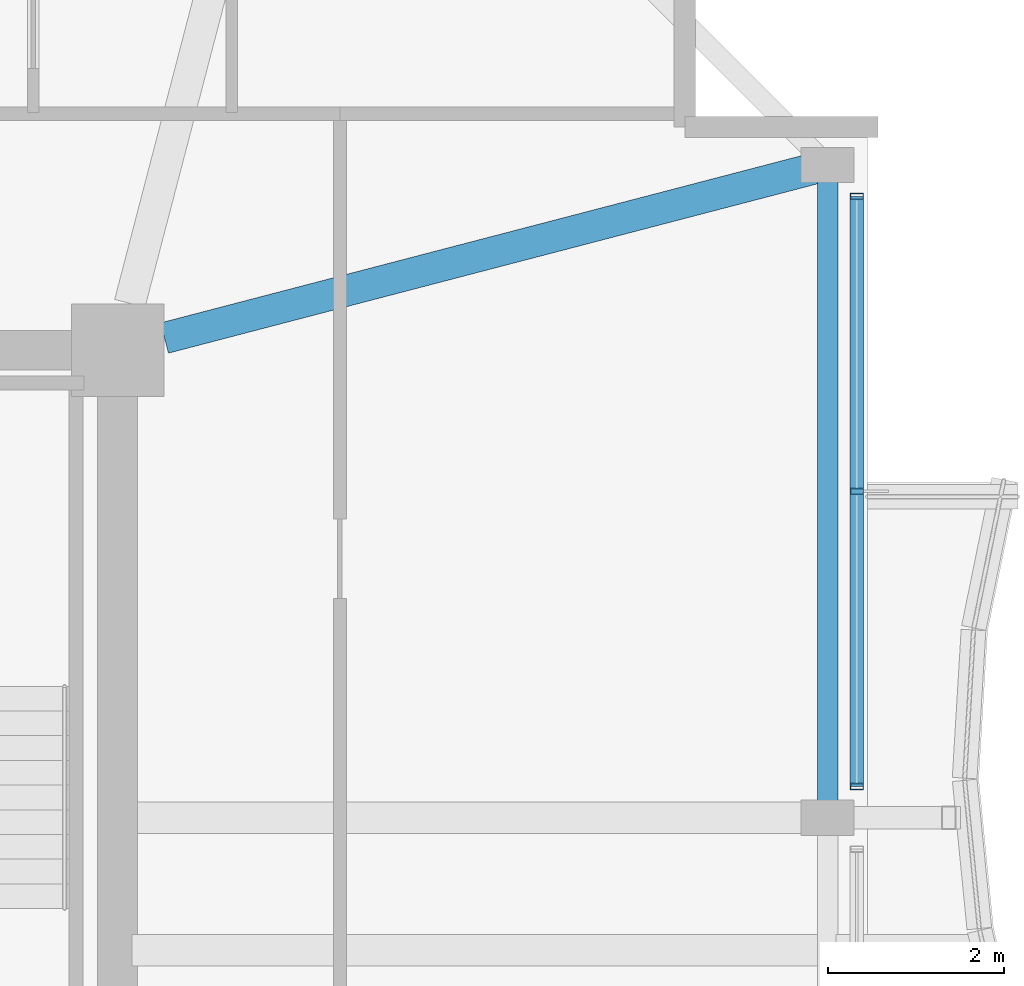
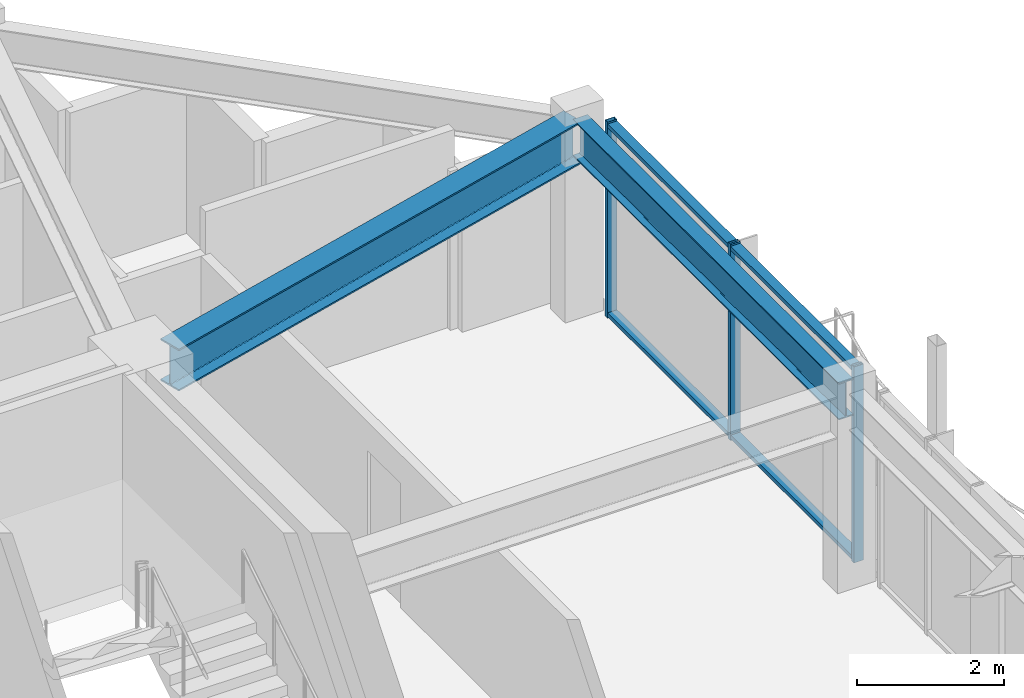
# One storey, part 13 of 31: 5 members, 2 beams, 1 element without a shape of its own.
"""IFC4 building model written with IfcOpenShell, lengths in metres."""

from ifc_helpers import new_model, si_unit, direction, frame, origin, origin_2d, place, context, subcontext, project, spatial, hollow_rectangle, i_section, extrude, material, material_profile, profile_set, type_object, element, aggregate, save


model = new_model("IFC4")

# Units and contexts
model_context = context("Model", 3, precision=1e-05, world=origin(), true_north=direction((0.0, 1.0)))
body_context = subcontext(model_context, "Body", "Model", "MODEL_VIEW")
ifc_project = project(units=[si_unit("LENGTHUNIT", "METRE"), si_unit("AREAUNIT", "SQUARE_METRE"), si_unit("VOLUMEUNIT", "CUBIC_METRE"), si_unit("PLANEANGLEUNIT", "RADIAN"), si_unit("MASSUNIT", "GRAM", prefix="KILO")], contexts=[model_context])

# Site, building, storey
site_placement = place(None, origin())
site = spatial("IfcSite", under=ifc_project, at=site_placement, CompositionType="ELEMENT")
building_placement = place(site_placement, origin())
building = spatial("IfcBuilding", under=site, at=building_placement, Name="Kolvaren Belvedere", CompositionType="ELEMENT")
storey_placement = place(building_placement, frame((0.0, 0.0, 251.39990234375)))
storey = spatial("IfcBuildingStorey", under=building, at=storey_placement, Name="L73", CompositionType="ELEMENT", Elevation=251.39990234375)

# Beams
ifc_material_1 = material(Name="Structural steel ASTM A992 Grade 50", Category="steel")
ifc_material_profile_1 = material_profile(ifc_material_1, i_section(OverallWidth=0.35498046875, OverallDepth=0.696044921875, WebThickness=0.015380859375, FlangeThickness=0.02490234375, FilletRadius=0.02197265625, at=origin_2d()), Name="W27X146")
ifc_profile_set_1 = profile_set([ifc_material_profile_1], Name="Structural steel ASTM A992 Grade 50")
beam_type_1 = type_object("IfcBeamType", Name="BM-GIRD-W27X146", PredefinedType="BEAM", material=ifc_profile_set_1)
beam_1_placement = place(storey_placement, frame((10.43212890625, 10.038818359375, 2.902099609375), z_axis=(0.967619295388, 0.252414142221, 0.0), x_axis=(-0.252414142221, 0.967619295388, 0.0)))
element("IfcBeam", 1, at=beam_1_placement, inside=storey, type_object=beam_type_1, Name="L73 Corner Core-to-Perimeter Girder CC3-E4", PredefinedType="BEAM", context=body_context, shape_type="SweptSolid", body=[
    extrude(i_section(OverallWidth=0.35498046875, OverallDepth=0.696044921875, WebThickness=0.015380859375, FlangeThickness=0.02490234375, FilletRadius=0.02197265625, at=origin_2d()), origin(), (0.0, 0.0, 1.0), 7.689453125),
])
ifc_material_2 = material(Name="Structural steel ASTM A992 Grade 50", Category="steel")
ifc_material_profile_2 = material_profile(ifc_material_2, i_section(OverallWidth=0.22900390625, OverallDepth=0.612060546875, WebThickness=0.011962890625, FlangeThickness=0.01953125, FilletRadius=0.01806640625, at=origin_2d()), Name="W24X84")
ifc_profile_set_2 = profile_set([ifc_material_profile_2], Name="Structural steel ASTM A992 Grade 50")
beam_type_2 = type_object("IfcBeamType", Name="BM-SPAN-W24X84", PredefinedType="SPANDREL", material=ifc_profile_set_2)
beam_2_placement = place(storey_placement, frame((17.949951171875, 4.68994140625, 2.944091796875), z_axis=(0.0, 1.0, 0.0), x_axis=(-1.0, 0.0, 0.0)))
element("IfcBeam", 2, at=beam_2_placement, inside=storey, type_object=beam_type_2, Name="L73 Perimeter Spandrel E3-E4", PredefinedType="SPANDREL", context=body_context, shape_type="SweptSolid", body=[
    extrude(i_section(OverallWidth=0.22900390625, OverallDepth=0.612060546875, WebThickness=0.011962890625, FlangeThickness=0.01953125, FilletRadius=0.01806640625, at=origin_2d()), origin(), (0.0, 0.0, 1.0), 7.219970703125),
])

# Curtain wall, members
ifc_material_3 = material(Name="Anodised pale-metal aluminium AA 6063-T6", Category="aluminium")
curtain_wall_type = type_object("IfcCurtainWallType", Name="CW-Z5-HIGH", PredefinedType="NOTDEFINED", material=ifc_material_3)
curtain_wall_placement = place(storey_placement, origin())
curtain_wall = element("IfcCurtainWall", 3, at=curtain_wall_placement, inside=storey, type_object=curtain_wall_type, Name="L73 Unitised Curtain Wall FCW-L73-E1-B1", PredefinedType="NOTDEFINED")
ifc_material_4 = material(Name="Anodised pale-metal aluminium AA 6063-T6", Category="aluminium")
ifc_material_profile_3 = material_profile(ifc_material_4, hollow_rectangle(XDim=0.070068359375, YDim=0.14990234375, WallThickness=0.004150390625, at=origin_2d()), Name="ALU-MUL-150X70")
ifc_profile_set_3 = profile_set([ifc_material_profile_3], Name="Anodised pale-metal aluminium AA 6063-T6")
member_type_1 = type_object("IfcMemberType", Name="CW-MUL-150", PredefinedType="MULLION", material=ifc_profile_set_3)
member_1_placement = place(storey_placement, frame((18.280029296875, 11.64501953125, 0.0), z_axis=(0.0, 0.0, 1.0), x_axis=(0.0, 1.0, 0.0)))
member_1 = element("IfcMember", 4, at=member_1_placement, type_object=member_type_1, Name="FCW-L73-E1-B1 Unitised Mullion 1", PredefinedType="MULLION", context=body_context, shape_type="SweptSolid", body=[
    extrude(hollow_rectangle(XDim=0.070068359375, YDim=0.14990234375, WallThickness=0.004150390625, at=origin_2d()), origin(), (0.0, 0.0, 1.0), 3.25),
])
member_2_placement = place(storey_placement, frame((18.280029296875, 8.300048828125, 0.0), z_axis=(0.0, 0.0, 1.0), x_axis=(0.0, 1.0, 0.0)))
member_2 = element("IfcMember", 5, at=member_2_placement, type_object=member_type_1, Name="FCW-L73-E1-B1 Unitised Mullion 2", PredefinedType="MULLION", context=body_context, shape_type="SweptSolid", body=[
    extrude(hollow_rectangle(XDim=0.070068359375, YDim=0.14990234375, WallThickness=0.004150390625, at=origin_2d()), origin(), (0.0, 0.0, 1.0), 3.25),
])
member_3_placement = place(storey_placement, frame((18.280029296875, 4.955078125, 0.0), z_axis=(0.0, 0.0, 1.0), x_axis=(0.0, 1.0, 0.0)))
member_3 = element("IfcMember", 6, at=member_3_placement, type_object=member_type_1, Name="FCW-L73-E1-B1 Unitised Mullion 3", PredefinedType="MULLION", context=body_context, shape_type="SweptSolid", body=[
    extrude(hollow_rectangle(XDim=0.070068359375, YDim=0.14990234375, WallThickness=0.004150390625, at=origin_2d()), origin(), (0.0, 0.0, 1.0), 3.25),
])
ifc_material_5 = material(Name="Anodised pale-metal aluminium AA 6063-T6", Category="aluminium")
ifc_material_profile_4 = material_profile(ifc_material_5, hollow_rectangle(XDim=0.06494140625, YDim=0.14990234375, WallThickness=0.00390625, at=origin_2d()), Name="ALU-TRN-150X65")
ifc_profile_set_4 = profile_set([ifc_material_profile_4], Name="Anodised pale-metal aluminium AA 6063-T6")
member_type_2 = type_object("IfcMemberType", Name="CW-TRN-150", PredefinedType="USERDEFINED", material=ifc_profile_set_4)
member_4_placement = place(storey_placement, frame((18.280029296875, 11.64501953125, 0.06005859375), z_axis=(0.0, -1.0, 0.0), x_axis=(0.0, 0.0, 1.0)))
member_4 = element("IfcMember", 7, at=member_4_placement, type_object=member_type_2, Name="FCW-L73-E1-B1 Sill Transom", ObjectType="TRANSOM", PredefinedType="USERDEFINED", context=body_context, shape_type="SweptSolid", body=[
    extrude(hollow_rectangle(XDim=0.06494140625, YDim=0.14990234375, WallThickness=0.00390625, at=origin_2d()), origin(), (0.0, 0.0, 1.0), 6.68994140625),
])
member_5_placement = place(storey_placement, frame((18.280029296875, 11.64501953125, 3.190185546875), z_axis=(0.0, -1.0, 0.0), x_axis=(0.0, 0.0, 1.0)))
member_5 = element("IfcMember", 8, at=member_5_placement, type_object=member_type_2, Name="FCW-L73-E1-B1 Head Transom", ObjectType="TRANSOM", PredefinedType="USERDEFINED", context=body_context, shape_type="SweptSolid", body=[
    extrude(hollow_rectangle(XDim=0.06494140625, YDim=0.14990234375, WallThickness=0.00390625, at=origin_2d()), origin(), (0.0, 0.0, 1.0), 6.68994140625),
])
aggregate(curtain_wall, [member_1, member_2, member_3, member_4, member_5])

save(model, "model.ifc")
